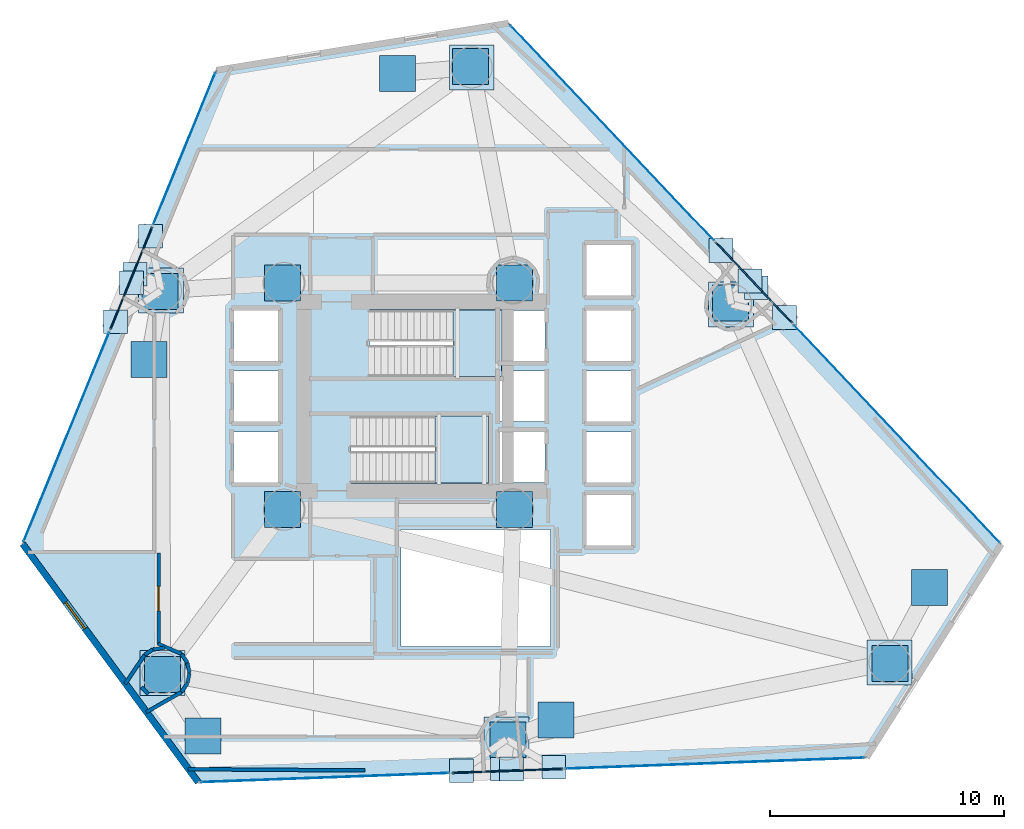
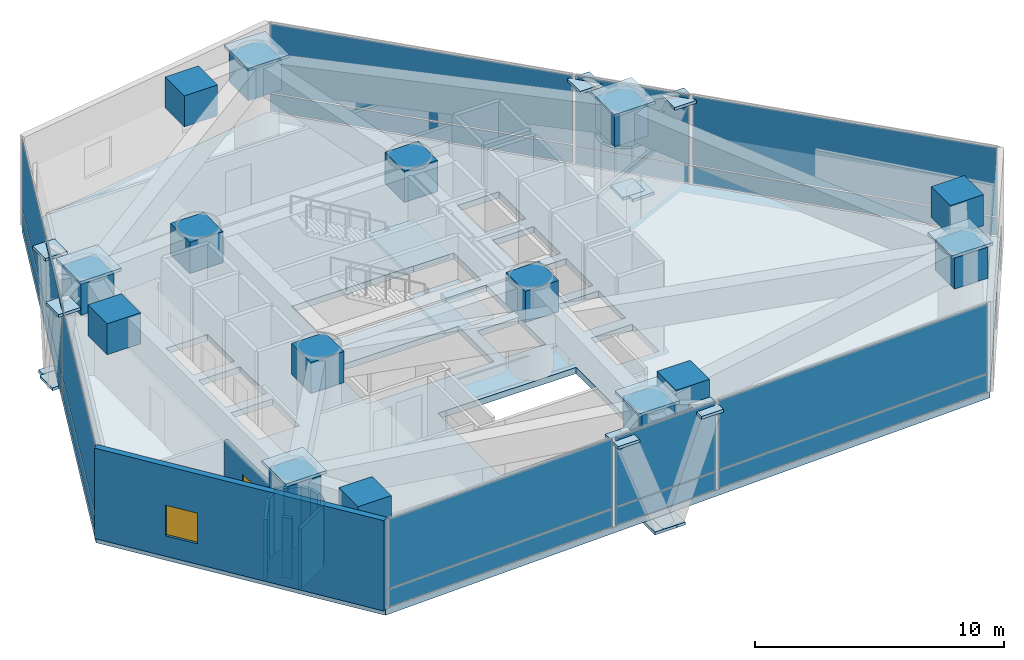
# One storey, part 16 of 22: 51 plates, 13 walls, 3 slabs, 1 door, 1 window, 2 openings, 11 elements without a shape of their own.
"""IFC4 building model written with IfcOpenShell, lengths in metres."""

from ifc_helpers import new_model, si_unit, direction, frame, frame_2d, origin, origin_2d, place, context, subcontext, project, spatial, polyline, rectangle, outline, extrude, material, layer, layer_set, type_object, element, fill, aggregate, save


model = new_model("IFC4")

# Units and contexts
model_context = context("Model", 3, precision=1e-05, world=origin(), true_north=direction((0.0, 1.0)))
body_context = subcontext(model_context, "Body", "Model", "MODEL_VIEW")
ifc_project = project(units=[si_unit("LENGTHUNIT", "METRE"), si_unit("AREAUNIT", "SQUARE_METRE"), si_unit("VOLUMEUNIT", "CUBIC_METRE"), si_unit("PLANEANGLEUNIT", "RADIAN"), si_unit("MASSUNIT", "GRAM", prefix="KILO")], contexts=[model_context])

# Site, building, storey
site_placement = place(None, origin())
site = spatial("IfcSite", under=ifc_project, at=site_placement, CompositionType="ELEMENT")
building_placement = place(site_placement, origin())
building = spatial("IfcBuilding", under=site, at=building_placement, Name="Qianvela Tower", CompositionType="ELEMENT")
storey_placement = place(building_placement, frame((0.0, 0.0, 47.89990234375)))
storey = spatial("IfcBuildingStorey", under=building, at=storey_placement, Name="L11", CompositionType="ELEMENT", Elevation=47.89990234375)

# Curtain wall, plates
ifc_material_1 = material(Name="Anodised Architectural Aluminium and Insulated Spandrel Panel", Category="aluminium")
ifc_layer_1 = layer(ifc_material_1, 0.179931640625)
ifc_layer_set_1 = layer_set([ifc_layer_1], Name="Anodised Architectural Aluminium and Insulated Spandrel Panel")
curtain_wall_type_1 = type_object("IfcCurtainWallType", Name="CW-BRACEBAY", PredefinedType="USERDEFINED", material=ifc_layer_set_1)
curtain_wall_1_placement = place(storey_placement, origin())
curtain_wall_1 = element("IfcCurtainWall", 1, at=curtain_wall_1_placement, inside=storey, type_object=curtain_wall_type_1, Name="L11 CW-BRACEBAY Curtain Wall 02B", ObjectType="CURTAIN_WALL_SYSTEM", PredefinedType="USERDEFINED")
ifc_material_2 = material(Name="Insulated Aluminium Spandrel Panel with Mineral-Wool Backpan", Category="aluminium")
ifc_layer_2 = layer(ifc_material_2, 0.06005859375)
ifc_layer_set_2 = layer_set([ifc_layer_2], Name="Insulated Aluminium Spandrel Panel with Mineral-Wool Backpan")
plate_type_1 = type_object("IfcPlateType", Name="CW-BRACEBAY-PNL", PredefinedType="CURTAIN_PANEL", material=ifc_layer_set_2)
plate_1_placement = place(storey_placement, frame((48.714111328125, 33.561279296875, 0.065185546875), z_axis=(0.0, 0.0, 1.0), x_axis=(-0.687161777632, 0.726504433133, 0.0)))
plate_1 = element("IfcPlate", 2, at=plate_1_placement, type_object=plate_type_1, Name="CW-9 panel 1.1", PredefinedType="CURTAIN_PANEL", context=body_context, shape_type="SweptSolid", body=[
    extrude(rectangle(XDim=4.739990234375, YDim=0.06005859375, at=origin_2d()), origin(), (0.0, 0.0, 1.0), 0.8525390625),
])
plate_2_placement = place(storey_placement, frame((48.714111328125, 33.561279296875, 0.982666015625), z_axis=(0.0, 0.0, 1.0), x_axis=(-0.687161777632, 0.726504433133, 0.0)))
plate_2 = element("IfcPlate", 3, at=plate_2_placement, type_object=plate_type_1, Name="CW-9 panel 1.2", PredefinedType="CURTAIN_PANEL", context=body_context, shape_type="SweptSolid", body=[
    extrude(rectangle(XDim=4.739990234375, YDim=0.06005859375, at=origin_2d()), origin(), (0.0, 0.0, 1.0), 3.37255859375),
])
aggregate(curtain_wall_1, [plate_1, plate_2])

curtain_wall_2_placement = place(storey_placement, origin())
curtain_wall_2 = element("IfcCurtainWall", 4, at=curtain_wall_2_placement, inside=storey, type_object=curtain_wall_type_1, Name="L11 CW-BRACEBAY Curtain Wall 04B", ObjectType="CURTAIN_WALL_SYSTEM", PredefinedType="USERDEFINED")
plate_3_placement = place(storey_placement, frame((22.0615234375, 33.748779296875, 0.065185546875), z_axis=(0.0, 0.0, 1.0), x_axis=(-0.378482214206, -0.925608563881, 0.0)))
plate_3 = element("IfcPlate", 5, at=plate_3_placement, type_object=plate_type_1, Name="CW-9 panel 1.1", PredefinedType="CURTAIN_PANEL", context=body_context, shape_type="SweptSolid", body=[
    extrude(rectangle(XDim=4.72998046875, YDim=0.06005859375, at=origin_2d()), origin(), (0.0, 0.0, 1.0), 0.8525390625),
])
plate_4_placement = place(storey_placement, frame((22.0615234375, 33.748779296875, 0.982666015625), z_axis=(0.0, 0.0, 1.0), x_axis=(-0.378482214206, -0.925608563881, 0.0)))
plate_4 = element("IfcPlate", 6, at=plate_4_placement, type_object=plate_type_1, Name="CW-9 panel 1.2", PredefinedType="CURTAIN_PANEL", context=body_context, shape_type="SweptSolid", body=[
    extrude(rectangle(XDim=4.72998046875, YDim=0.06005859375, at=origin_2d()), origin(), (0.0, 0.0, 1.0), 3.37255859375),
])
aggregate(curtain_wall_2, [plate_3, plate_4])

curtain_wall_3_placement = place(storey_placement, origin())
curtain_wall_3 = element("IfcCurtainWall", 7, at=curtain_wall_3_placement, inside=storey, type_object=curtain_wall_type_1, Name="L11 CW-BRACEBAY Curtain Wall 06B", ObjectType="CURTAIN_WALL_SYSTEM", PredefinedType="USERDEFINED")
plate_5_placement = place(storey_placement, frame((38.16845703125, 12.672607421875, 0.065185546875), z_axis=(0.0, 0.0, 1.0), x_axis=(0.999319982183, 0.036872390877, 0.0)))
plate_5 = element("IfcPlate", 8, at=plate_5_placement, type_object=plate_type_1, Name="CW-9 panel 1.1", PredefinedType="CURTAIN_PANEL", context=body_context, shape_type="SweptSolid", body=[
    extrude(rectangle(XDim=4.72998046875, YDim=0.06005859375, at=origin_2d()), origin(), (0.0, 0.0, 1.0), 0.8525390625),
])
plate_6_placement = place(storey_placement, frame((38.16845703125, 12.672607421875, 0.982666015625), z_axis=(0.0, 0.0, 1.0), x_axis=(0.999319982183, 0.036872390877, 0.0)))
plate_6 = element("IfcPlate", 9, at=plate_6_placement, type_object=plate_type_1, Name="CW-9 panel 1.2", PredefinedType="CURTAIN_PANEL", context=body_context, shape_type="SweptSolid", body=[
    extrude(rectangle(XDim=4.72998046875, YDim=0.06005859375, at=origin_2d()), origin(), (0.0, 0.0, 1.0), 3.37255859375),
])
aggregate(curtain_wall_3, [plate_5, plate_6])

ifc_material_3 = material(Name="Anodised Architectural Aluminium and Low-E Glass", Category="aluminium")
ifc_layer_3 = layer(ifc_material_3, 0.179931640625)
ifc_layer_set_3 = layer_set([ifc_layer_3], Name="Anodised Architectural Aluminium and Low-E Glass")
curtain_wall_type_2 = type_object("IfcCurtainWallType", Name="CW-COLIV-Z12", PredefinedType="USERDEFINED", material=ifc_layer_set_3)
curtain_wall_4_placement = place(storey_placement, origin())
curtain_wall_4 = element("IfcCurtainWall", 10, at=curtain_wall_4_placement, inside=storey, type_object=curtain_wall_type_2, Name="L11 CW-COLIV-Z12 Curtain Wall 02A", ObjectType="CURTAIN_WALL_SYSTEM", PredefinedType="USERDEFINED")
ifc_material_4 = material(Name="Double-Silver Low-E Insulated Glass", Category="glass")
ifc_layer_4 = layer(ifc_material_4, 0.030029296875)
ifc_layer_set_4 = layer_set([ifc_layer_4], Name="Double-Silver Low-E Insulated Glass")
plate_type_2 = type_object("IfcPlateType", Name="CW-COLIV-Z12-PNL", PredefinedType="CURTAIN_PANEL", material=ifc_layer_set_4)
plate_7_placement = place(storey_placement, frame((54.822998046875, 27.102783203125, 0.065185546875), z_axis=(0.0, 0.0, 1.0), x_axis=(-0.687174220743, 0.726492663656, 0.0)))
plate_7 = element("IfcPlate", 11, at=plate_7_placement, type_object=plate_type_2, Name="CW-3 panel 1.1", PredefinedType="CURTAIN_PANEL", context=body_context, shape_type="SweptSolid", body=[
    extrude(rectangle(XDim=12.77001953125, YDim=0.030029296875, at=origin_2d()), origin(), (0.0, 0.0, 1.0), 0.8525390625),
])
plate_8_placement = place(storey_placement, frame((54.822998046875, 27.102783203125, 0.982666015625), z_axis=(0.0, 0.0, 1.0), x_axis=(-0.687174220743, 0.726492663656, 0.0)))
plate_8 = element("IfcPlate", 12, at=plate_8_placement, type_object=plate_type_2, Name="CW-3 panel 1.2", PredefinedType="CURTAIN_PANEL", context=body_context, shape_type="SweptSolid", body=[
    extrude(rectangle(XDim=12.77001953125, YDim=0.030029296875, at=origin_2d()), origin(), (0.0, 0.0, 1.0), 3.37255859375),
])
aggregate(curtain_wall_4, [plate_7, plate_8])

curtain_wall_5_placement = place(storey_placement, origin())
curtain_wall_5 = element("IfcCurtainWall", 13, at=curtain_wall_5_placement, inside=storey, type_object=curtain_wall_type_2, Name="L11 CW-COLIV-Z12 Curtain Wall 02C", ObjectType="CURTAIN_WALL_SYSTEM", PredefinedType="USERDEFINED")
plate_9_placement = place(storey_placement, frame((42.642578125, 39.98046875, 0.065185546875), z_axis=(0.0, 0.0, 1.0), x_axis=(-0.687175228739, 0.726491710212, 0.0)))
plate_9 = element("IfcPlate", 14, at=plate_9_placement, type_object=plate_type_2, Name="CW-3 panel 1.1", PredefinedType="CURTAIN_PANEL", context=body_context, shape_type="SweptSolid", body=[
    extrude(rectangle(XDim=12.6611328125, YDim=0.030029296875, at=origin_2d()), origin(), (0.0, 0.0, 1.0), 0.8525390625),
])
plate_10_placement = place(storey_placement, frame((42.642578125, 39.98046875, 0.982666015625), z_axis=(0.0, 0.0, 1.0), x_axis=(-0.687175228739, 0.726491710212, 0.0)))
plate_10 = element("IfcPlate", 15, at=plate_10_placement, type_object=plate_type_2, Name="CW-3 panel 1.2", PredefinedType="CURTAIN_PANEL", context=body_context, shape_type="SweptSolid", body=[
    extrude(rectangle(XDim=12.6611328125, YDim=0.030029296875, at=origin_2d()), origin(), (0.0, 0.0, 1.0), 3.37255859375),
])
aggregate(curtain_wall_5, [plate_9, plate_10])

curtain_wall_6_placement = place(storey_placement, origin())
curtain_wall_6 = element("IfcCurtainWall", 16, at=curtain_wall_6_placement, inside=storey, type_object=curtain_wall_type_2, Name="L11 CW-COLIV-Z12 Curtain Wall 04A", ObjectType="CURTAIN_WALL_SYSTEM", PredefinedType="USERDEFINED")
plate_11_placement = place(storey_placement, frame((24.33251953125, 39.30224609375, 0.065185546875), z_axis=(0.0, 0.0, 1.0), x_axis=(-0.378500867146, -0.925600936457, 0.0)))
plate_11 = element("IfcPlate", 17, at=plate_11_placement, type_object=plate_type_2, Name="CW-3 panel 1.1", PredefinedType="CURTAIN_PANEL", context=body_context, shape_type="SweptSolid", body=[
    extrude(rectangle(XDim=7.0, YDim=0.030029296875, at=origin_2d()), origin(), (0.0, 0.0, 1.0), 0.8525390625),
])
plate_12_placement = place(storey_placement, frame((24.33251953125, 39.30224609375, 0.982666015625), z_axis=(0.0, 0.0, 1.0), x_axis=(-0.378500867146, -0.925600936457, 0.0)))
plate_12 = element("IfcPlate", 18, at=plate_12_placement, type_object=plate_type_2, Name="CW-3 panel 1.2", PredefinedType="CURTAIN_PANEL", context=body_context, shape_type="SweptSolid", body=[
    extrude(rectangle(XDim=7.0, YDim=0.030029296875, at=origin_2d()), origin(), (0.0, 0.0, 1.0), 3.37255859375),
])
aggregate(curtain_wall_6, [plate_11, plate_12])

curtain_wall_7_placement = place(storey_placement, origin())
curtain_wall_7 = element("IfcCurtainWall", 19, at=curtain_wall_7_placement, inside=storey, type_object=curtain_wall_type_2, Name="L11 CW-COLIV-Z12 Curtain Wall 04C", ObjectType="CURTAIN_WALL_SYSTEM", PredefinedType="USERDEFINED")
plate_13_placement = place(storey_placement, frame((19.28759765625, 26.96484375, 0.065185546875), z_axis=(0.0, 0.0, 1.0), x_axis=(-0.378494146552, -0.925603684644, 0.0)))
plate_13 = element("IfcPlate", 20, at=plate_13_placement, type_object=plate_type_2, Name="CW-3 panel 1.1", PredefinedType="CURTAIN_PANEL", context=body_context, shape_type="SweptSolid", body=[
    extrude(rectangle(XDim=9.657958984375, YDim=0.030029296875, at=origin_2d()), origin(), (0.0, 0.0, 1.0), 0.8525390625),
])
plate_14_placement = place(storey_placement, frame((19.28759765625, 26.96484375, 0.982666015625), z_axis=(0.0, 0.0, 1.0), x_axis=(-0.378494146552, -0.925603684644, 0.0)))
plate_14 = element("IfcPlate", 21, at=plate_14_placement, type_object=plate_type_2, Name="CW-3 panel 1.2", PredefinedType="CURTAIN_PANEL", context=body_context, shape_type="SweptSolid", body=[
    extrude(rectangle(XDim=9.657958984375, YDim=0.030029296875, at=origin_2d()), origin(), (0.0, 0.0, 1.0), 3.37255859375),
])
aggregate(curtain_wall_7, [plate_13, plate_14])

curtain_wall_8_placement = place(storey_placement, origin())
curtain_wall_8 = element("IfcCurtainWall", 22, at=curtain_wall_8_placement, inside=storey, type_object=curtain_wall_type_2, Name="L11 CW-COLIV-Z12 Curtain Wall 06A", ObjectType="CURTAIN_WALL_SYSTEM", PredefinedType="USERDEFINED")
plate_15_placement = place(storey_placement, frame((30.358642578125, 12.384521484375, 0.065185546875), z_axis=(0.0, 0.0, 1.0), x_axis=(0.999320026105, 0.036871200483, 0.0)))
plate_15 = element("IfcPlate", 23, at=plate_15_placement, type_object=plate_type_2, Name="CW-3 panel 1.1", PredefinedType="CURTAIN_PANEL", context=body_context, shape_type="SweptSolid", body=[
    extrude(rectangle(XDim=10.6298828125, YDim=0.030029296875, at=origin_2d()), origin(), (0.0, 0.0, 1.0), 0.8525390625),
])
plate_16_placement = place(storey_placement, frame((30.358642578125, 12.384521484375, 0.982666015625), z_axis=(0.0, 0.0, 1.0), x_axis=(0.999320026105, 0.036871200483, 0.0)))
plate_16 = element("IfcPlate", 24, at=plate_16_placement, type_object=plate_type_2, Name="CW-3 panel 1.2", PredefinedType="CURTAIN_PANEL", context=body_context, shape_type="SweptSolid", body=[
    extrude(rectangle(XDim=10.6298828125, YDim=0.030029296875, at=origin_2d()), origin(), (0.0, 0.0, 1.0), 3.37255859375),
])
aggregate(curtain_wall_8, [plate_15, plate_16])

curtain_wall_9_placement = place(storey_placement, origin())
curtain_wall_9 = element("IfcCurtainWall", 25, at=curtain_wall_9_placement, inside=storey, type_object=curtain_wall_type_2, Name="L11 CW-COLIV-Z12 Curtain Wall 06C", ObjectType="CURTAIN_WALL_SYSTEM", PredefinedType="USERDEFINED")
plate_17_placement = place(storey_placement, frame((47.03564453125, 12.999755859375, 0.065185546875), z_axis=(0.0, 0.0, 1.0), x_axis=(0.999319884308, 0.036875043404, 0.0)))
plate_17 = element("IfcPlate", 26, at=plate_17_placement, type_object=plate_type_2, Name="CW-3 panel 1.1", PredefinedType="CURTAIN_PANEL", context=body_context, shape_type="SweptSolid", body=[
    extrude(rectangle(XDim=12.746826171875, YDim=0.030029296875, at=origin_2d()), origin(), (0.0, 0.0, 1.0), 0.8525390625),
])
plate_18_placement = place(storey_placement, frame((47.03564453125, 12.999755859375, 0.982666015625), z_axis=(0.0, 0.0, 1.0), x_axis=(0.999319884308, 0.036875043404, 0.0)))
plate_18 = element("IfcPlate", 27, at=plate_18_placement, type_object=plate_type_2, Name="CW-3 panel 1.2", PredefinedType="CURTAIN_PANEL", context=body_context, shape_type="SweptSolid", body=[
    extrude(rectangle(XDim=12.746826171875, YDim=0.030029296875, at=origin_2d()), origin(), (0.0, 0.0, 1.0), 3.37255859375),
])
aggregate(curtain_wall_9, [plate_17, plate_18])

# Plates
ifc_material_5 = material(Name="Steel Q420GJC", Category="steel")
ifc_layer_5 = layer(ifc_material_5, 0.139892578125)
ifc_layer_set_5 = layer_set([ifc_layer_5], Name="Steel Q420GJC")
plate_type_3 = type_object("IfcPlateType", Name="PT-GUSSET-NODE-140", PredefinedType="USERDEFINED", material=ifc_layer_set_5)
for number, where, z_axis, x_axis, name in (
    (28, (54.511962890625, 17.31689453125, 4.59521484375), (0.0, 0.0, 1.0), (1.0, 0.0, 0.0), "L11 Node Gusset Plate TOP"),
    (29, (47.736083984375, 32.636962890625, 4.59521484375), (0.0, 0.0, 1.0), (1.0, 0.0, 0.0), "L11 Node Gusset Plate TOP"),
    (30, (36.632080078125, 42.778076171875, 4.59521484375), (0.0, 0.0, 1.0), (1.0, 0.0, 0.0), "L11 Node Gusset Plate TOP"),
    (31, (23.337890625, 33.22802734375, 4.59521484375), (0.0, 0.0, 1.0), (1.0, 0.0, 0.0), "L11 Node Gusset Plate TOP"),
    (32, (23.404052734375, 16.860107421875, 4.59521484375), (0.0, 0.0, 1.0), (1.0, 0.0, 0.0), "L11 Node Gusset Plate TOP"),
    (33, (38.1201171875, 14.01611328125, 4.59521484375), (0.0, 0.0, 1.0), (1.0, 0.0, 0.0), "L11 Node Gusset Plate TOP"),
):
    element("IfcPlate", number, at=place(storey_placement, frame(where, z_axis=z_axis, x_axis=x_axis)), inside=storey, type_object=plate_type_3, Name=name, ObjectType="GUSSET_PLATE", PredefinedType="USERDEFINED", context=body_context, shape_type="SweptSolid", body=[
        extrude(rectangle(XDim=1.919921875, YDim=1.919921875, at=origin_2d()), origin(), (0.0, 0.0, 1.0), 0.139892578125),
    ])
for number, where, z_axis, x_axis, name in (
    (34, (48.80615234375, 33.34765625, -0.78271484375), (0.0, 0.0, 1.0), (1.0, 0.0, 0.0), "L11 Node Gusset Plate A"),
    (35, (50.014404296875, 32.0703125, 4.05908203125), (0.0, 0.0, 1.0), (1.0, 0.0, 0.0), "L11 Node Gusset Plate B"),
    (36, (48.53466796875, 33.634521484375, -0.78271484375), (0.0, 0.0, 1.0), (1.0, 0.0, 0.0), "L11 Node Gusset Plate A"),
    (37, (47.29638671875, 34.943603515625, 4.05908203125), (0.0, 0.0, 1.0), (1.0, 0.0, 0.0), "L11 Node Gusset Plate B"),
    (38, (22.219482421875, 33.923095703125, -0.78271484375), (0.0, 0.0, 1.0), (1.0, 0.0, 0.0), "L11 Node Gusset Plate A"),
    (39, (22.884521484375, 35.549560546875, 4.05908203125), (0.0, 0.0, 1.0), (1.0, 0.0, 0.0), "L11 Node Gusset Plate B"),
    (40, (22.06982421875, 33.5576171875, -0.78271484375), (0.0, 0.0, 1.0), (1.0, 0.0, 0.0), "L11 Node Gusset Plate A"),
    (41, (21.387451171875, 31.888916015625, 4.05908203125), (0.0, 0.0, 1.0), (1.0, 0.0, 0.0), "L11 Node Gusset Plate B"),
    (42, (37.947021484375, 12.744384765625, -0.78271484375), (0.0, 0.0, 1.0), (1.0, 0.0, 0.0), "L11 Node Gusset Plate A"),
    (43, (36.190673828125, 12.6796875, 4.05908203125), (0.0, 0.0, 1.0), (1.0, 0.0, 0.0), "L11 Node Gusset Plate B"),
    (44, (38.341796875, 12.759033203125, -0.78271484375), (0.0, 0.0, 1.0), (1.0, 0.0, 0.0), "L11 Node Gusset Plate A"),
    (45, (40.14306640625, 12.825439453125, 4.05908203125), (0.0, 0.0, 1.0), (1.0, 0.0, 0.0), "L11 Node Gusset Plate B"),
):
    element("IfcPlate", number, at=place(storey_placement, frame(where, z_axis=z_axis, x_axis=x_axis)), inside=storey, type_object=plate_type_3, Name=name, ObjectType="GUSSET_PLATE", PredefinedType="USERDEFINED", context=body_context, shape_type="SweptSolid", body=[
        extrude(rectangle(XDim=1.02001953125, YDim=1.02001953125, at=origin_2d()), origin(), (0.0, 0.0, 1.0), 0.139892578125),
    ])
for number, where, z_axis, x_axis, name in (
    (46, (28.534912109375, 23.85009765625, 2.9580078125), (0.0, 0.0, 1.0), (1.0, 0.0, 0.0), "L11 Node Gusset Plate A"),
    (47, (38.465087890625, 23.85009765625, 2.9580078125), (0.0, 0.0, 1.0), (1.0, 0.0, 0.0), "L11 Node Gusset Plate B"),
    (48, (28.534912109375, 33.550048828125, 2.9580078125), (0.0, 0.0, 1.0), (1.0, 0.0, 0.0), "L11 Node Gusset Plate A"),
    (49, (38.465087890625, 33.550048828125, 2.9580078125), (0.0, 0.0, 1.0), (1.0, 0.0, 0.0), "L11 Node Gusset Plate B"),
    (50, (54.538330078125, 17.257568359375, 2.9580078125), (0.0, 0.0, 1.0), (1.0, 0.0, 0.0), "L11 Node Gusset Plate A"),
    (51, (47.709716796875, 32.6962890625, 2.9580078125), (0.0, 0.0, 1.0), (1.0, 0.0, 0.0), "L11 Node Gusset Plate B"),
    (52, (36.583984375, 42.82177734375, 2.9580078125), (0.0, 0.0, 1.0), (1.0, 0.0, 0.0), "L11 Node Gusset Plate B"),
    (53, (23.28515625, 33.190185546875, 2.9580078125), (0.0, 0.0, 1.0), (1.0, 0.0, 0.0), "L11 Node Gusset Plate B"),
    (54, (23.404296875, 16.794921875, 2.9580078125), (0.0, 0.0, 1.0), (1.0, 0.0, 0.0), "L11 Node Gusset Plate B"),
    (55, (38.183837890625, 14.003662109375, 2.9580078125), (0.0, 0.0, 1.0), (1.0, 0.0, 0.0), "L11 Node Gusset Plate B"),
    (56, (56.229736328125, 20.525390625, 2.9580078125), (0.0, 0.0, 1.0), (1.0, 0.0, 0.0), "L11 Node Gusset Plate B"),
    (57, (33.461181640625, 42.523681640625, 2.9580078125), (0.0, 0.0, 1.0), (1.0, 0.0, 0.0), "L11 Node Gusset Plate B"),
    (58, (22.817626953125, 30.27587890625, 2.9580078125), (0.0, 0.0, 1.0), (1.0, 0.0, 0.0), "L11 Node Gusset Plate B"),
    (59, (25.13525390625, 14.17041015625, 2.9580078125), (0.0, 0.0, 1.0), (1.0, 0.0, 0.0), "L11 Node Gusset Plate B"),
    (60, (40.24951171875, 14.842529296875, 2.9580078125), (0.0, 0.0, 1.0), (1.0, 0.0, 0.0), "L11 Node Gusset Plate B"),
):
    element("IfcPlate", number, at=place(storey_placement, frame(where, z_axis=z_axis, x_axis=x_axis)), inside=storey, type_object=plate_type_3, Name=name, ObjectType="GUSSET_PLATE", PredefinedType="USERDEFINED", context=body_context, shape_type="SweptSolid", body=[
        extrude(rectangle(XDim=1.5400390625, YDim=1.5400390625, at=origin_2d()), origin(), (0.0, 0.0, 1.0), 1.52001953125),
    ])

# Stair, slab
ifc_material_6 = material(Name="Concrete C40", Category="concrete")
stair_type = type_object("IfcStairType", Name="ST-DOGLEG-1350-R164-N28", PredefinedType="HALF_TURN_STAIR", material=ifc_material_6)
stair_1_placement = place(storey_placement, origin())
stair_1 = element("IfcStair", 61, at=stair_1_placement, inside=storey, type_object=stair_type, Name="L11 Smoke-Proof Core Stair ST-1", PredefinedType="HALF_TURN_STAIR")
ifc_material_7 = material(Name="Concrete C40", Category="concrete")
ifc_layer_6 = layer(ifc_material_7, 0.199951171875)
ifc_layer_set_6 = layer_set([ifc_layer_6], Name="Concrete C40")
slab_type_1 = type_object("IfcSlabType", Name="SL-STAIR-LANDING-200", PredefinedType="LANDING", material=ifc_layer_set_6)
slab_1_placement = place(storey_placement, frame((0.0, 0.0, 2.10009765625)))
slab_1 = element("IfcSlab", 62, at=slab_1_placement, type_object=slab_type_1, Name="ST-1 landing 1", PredefinedType="LANDING", context=body_context, shape_type="SweptSolid", body=[
    extrude(outline(polyline([(35.840087890625, 29.5400390625), (37.89990234375, 29.5400390625), (37.89990234375, 32.39990234375), (35.840087890625, 32.39990234375), (35.840087890625, 29.5400390625)])), origin(), (0.0, 0.0, 1.0), 0.199951171875),
])
aggregate(stair_1, [slab_1])

stair_2_placement = place(storey_placement, origin())
stair_2 = element("IfcStair", 63, at=stair_2_placement, inside=storey, type_object=stair_type, Name="L11 Smoke-Proof Core Stair ST-2", PredefinedType="HALF_TURN_STAIR")
slab_2_placement = place(storey_placement, frame((0.0, 0.0, 2.10009765625)))
slab_2 = element("IfcSlab", 64, at=slab_2_placement, type_object=slab_type_1, Name="ST-2 landing 1", PredefinedType="LANDING", context=body_context, shape_type="SweptSolid", body=[
    extrude(outline(polyline([(35.06005859375, 25.0), (37.35009765625, 25.0), (37.35009765625, 27.860107421875), (35.06005859375, 27.860107421875), (35.06005859375, 25.0)])), origin(), (0.0, 0.0, 1.0), 0.199951171875),
])
aggregate(stair_2, [slab_2])

# Slab
ifc_material_8 = material(Name="Concrete C40", Category="concrete")
ifc_layer_7 = layer(ifc_material_8, 0.300048828125)
ifc_layer_set_7 = layer_set([ifc_layer_7], Name="Concrete C40")
slab_type_2 = type_object("IfcSlabType", Name="SL-TRANS-300", PredefinedType="FLOOR", material=ifc_layer_set_7)
slab_3_placement = place(storey_placement, frame((0.0, 0.0, -0.2998046875)))
element("IfcSlab", 65, at=slab_3_placement, inside=storey, type_object=slab_type_2, Name="L11 Composite Structural Floor Slab", PredefinedType="FLOOR", context=body_context, shape_type="SweptSolid", body=[
    extrude(outline(polyline([(53.524658203125, 13.2392578125), (59.293212890625, 22.376953125), (38.209716796875, 44.666748046875), (25.70263671875, 42.653076171875), (17.41455078125, 22.384033203125), (24.927490234375, 12.18408203125), (53.524658203125, 13.2392578125)]), holes=[polyline([(40.0, 23.0), (33.60009765625, 23.0), (33.60009765625, 18.0), (40.0, 18.0), (40.0, 23.0)]), polyline([(28.360107421875, 25.02001953125), (28.360107421875, 27.179931640625), (26.43994140625, 27.179931640625), (26.43994140625, 25.02001953125), (28.360107421875, 25.02001953125)]), polyline([(37.35009765625, 25.0), (37.35009765625, 27.860107421875), (31.469970703125, 27.860107421875), (31.469970703125, 25.0), (37.35009765625, 25.0)]), polyline([(28.360107421875, 27.6201171875), (28.360107421875, 29.780029296875), (26.43994140625, 29.780029296875), (26.43994140625, 27.6201171875), (28.360107421875, 27.6201171875)]), polyline([(37.89990234375, 32.3798828125), (37.89990234375, 32.39990234375), (32.25, 32.39990234375), (32.25, 29.5400390625), (37.840087890625, 29.5400390625), (37.840087890625, 27.6201171875), (39.760009765625, 27.6201171875), (39.760009765625, 29.780029296875), (37.89990234375, 29.780029296875), (37.89990234375, 30.219970703125), (39.760009765625, 30.219970703125), (39.760009765625, 32.3798828125), (37.89990234375, 32.3798828125)]), polyline([(28.360107421875, 30.219970703125), (28.360107421875, 32.3798828125), (26.43994140625, 32.3798828125), (26.43994140625, 30.219970703125), (28.360107421875, 30.219970703125)]), polyline([(43.4599609375, 24.47998046875), (41.5400390625, 24.47998046875), (41.5400390625, 22.320068359375), (43.4599609375, 22.320068359375), (43.4599609375, 24.47998046875)]), polyline([(39.760009765625, 25.02001953125), (39.760009765625, 27.179931640625), (37.840087890625, 27.179931640625), (37.840087890625, 25.02001953125), (39.760009765625, 25.02001953125)]), polyline([(43.4599609375, 25.02001953125), (43.4599609375, 27.179931640625), (41.5400390625, 27.179931640625), (41.5400390625, 25.02001953125), (43.4599609375, 25.02001953125)]), polyline([(43.4599609375, 27.6201171875), (43.4599609375, 29.780029296875), (41.5400390625, 29.780029296875), (41.5400390625, 27.6201171875), (43.4599609375, 27.6201171875)]), polyline([(43.4599609375, 30.219970703125), (43.4599609375, 32.3798828125), (41.5400390625, 32.3798828125), (41.5400390625, 30.219970703125), (43.4599609375, 30.219970703125)]), polyline([(43.4599609375, 33.02001953125), (43.4599609375, 35.179931640625), (41.5400390625, 35.179931640625), (41.5400390625, 33.02001953125), (43.4599609375, 33.02001953125)])]), origin(), (0.0, 0.0, 1.0), 0.2998046875),
])

# Wall, opening, window
ifc_material_9 = material(Name="Terracotta Cladding on Concrete C40", Category="masonry")
ifc_layer_8 = layer(ifc_material_9, 0.280029296875)
ifc_layer_set_8 = layer_set([ifc_layer_8], Name="Terracotta Cladding on Concrete C40")
wall_type_1 = type_object("IfcWallType", Name="TERRACOTTA-WALL-280", PredefinedType="SOLIDWALL", material=ifc_layer_set_8)
wall_1_placement = place(storey_placement, frame((17.41455078125, 22.384033203125, 0.0), z_axis=(0.0, 0.0, 1.0), x_axis=(0.593055059992, -0.805161906587, 0.0)))
wall_1 = element("IfcWall", 66, at=wall_1_placement, inside=storey, type_object=wall_type_1, Name="L11 Terracotta Chamfer Facet Wall 5", PredefinedType="SOLIDWALL", context=body_context, shape_type="SweptSolid", body=[
    extrude(rectangle(XDim=12.668212890625, YDim=0.280029296875, at=frame_2d((6.333984375, 0.0))), origin(), (0.0, 0.0, 1.0), 4.420166015625),
])
opening_1_placement = place(wall_1_placement, frame((3.1005859375, 0.0, 1.0)))
opening_1 = element("IfcOpeningElement", 67, at=opening_1_placement, cuts=wall_1, Name="Opening W-06", PredefinedType="OPENING", context=body_context, shape_type="SweptSolid", body=[
    extrude(rectangle(XDim=1.39990234375, YDim=1.5, at=frame_2d((0.699951171875, 0.75))), frame((0.0, 0.14990234375, 0.0), z_axis=(0.0, -1.0, 0.0), x_axis=(1.0, 0.0, 0.0)), (0.0, 0.0, 1.0), 0.300048828125),
])
ifc_material_10 = material(Name="Thermally Broken Aluminium and Low-E Glass", Category="aluminium")
window_type = type_object("IfcWindowType", Name="WIN-REF-1400x1500", PartitioningType="SINGLE_PANEL", PredefinedType="WINDOW", material=ifc_material_10)
window_placement = place(opening_1_placement, origin())
window = element("IfcWindow", 68, at=window_placement, inside=storey, type_object=window_type, Name="L11 Chamfer Facet Window 5.1", OverallHeight=1.5, OverallWidth=1.39990234375, PartitioningType="SINGLE_PANEL", PredefinedType="WINDOW", context=body_context, shape_type="SweptSolid", body=[
    extrude(rectangle(XDim=1.39990234375, YDim=1.5, at=frame_2d((0.699951171875, 0.75))), frame((0.0, 0.030029296875, 0.0), z_axis=(0.0, -1.0, 0.0), x_axis=(1.0, 0.0, 0.0)), (0.0, 0.0, 1.0), 0.06005859375),
])
fill(opening_1, window)

# Walls
ifc_material_11 = material(Name="Fire-Rated Acoustic Gypsum Board")
ifc_layer_9 = layer(ifc_material_11, 0.14990234375)
ifc_layer_set_9 = layer_set([ifc_layer_9], Name="Fire-Rated Acoustic Gypsum Board")
wall_type_2 = type_object("IfcWallType", Name="WT-CORR-150", PredefinedType="PARTITIONING", material=ifc_layer_set_9)
wall_2_placement = place(storey_placement, frame((22.6982421875, 15.177001953125, 0.0), z_axis=(0.0, 0.0, 1.0), x_axis=(0.868372461428, 0.495912561077, 0.0)))
element("IfcWall", 69, at=wall_2_placement, inside=storey, type_object=wall_type_2, Name="L11 Partition 64", PredefinedType="PARTITIONING", context=body_context, shape_type="SweptSolid", body=[
    extrude(rectangle(XDim=1.7421875, YDim=0.14990234375, at=frame_2d((0.87109375, 0.0))), origin(), (0.0, 0.0, 1.0), 2.940185546875),
])
for number, where, z_axis, x_axis, name in (
    (70, (24.2216796875, 16.05078125, 0.0), (0.0, 0.0, 1.0), (0.555601891118, 0.831448458166, 0.0), "L11 Partition 65"),
    (71, (24.468994140625, 16.42529296875, 0.0), (0.0, 0.0, 1.0), (0.195471680655, 0.980709346372, 0.0), "L11 Partition 66"),
    (72, (24.554443359375, 16.865966796875, 0.0), (0.0, 0.0, 1.0), (-0.195471680655, 0.980709346372, 0.0), "L11 Partition 67"),
):
    element("IfcWall", number, at=place(storey_placement, frame(where, z_axis=z_axis, x_axis=x_axis)), inside=storey, type_object=wall_type_2, Name=name, PredefinedType="PARTITIONING", context=body_context, shape_type="SweptSolid", body=[
        extrude(rectangle(XDim=0.437255859375, YDim=0.14990234375, at=frame_2d((0.21875, 0.0))), origin(), (0.0, 0.0, 1.0), 2.940185546875),
    ])
wall_3_placement = place(storey_placement, frame((24.464599609375, 17.305908203125, 0.0), z_axis=(0.0, 0.0, 1.0), x_axis=(-0.555859936624, 0.831275965523, 0.0)))
element("IfcWall", 73, at=wall_3_placement, inside=storey, type_object=wall_type_2, Name="L11 Partition 68", PredefinedType="PARTITIONING", context=body_context, shape_type="SweptSolid", body=[
    extrude(rectangle(XDim=0.43701171875, YDim=0.14990234375, at=frame_2d((0.218505859375, 0.0))), origin(), (0.0, 0.0, 1.0), 2.940185546875),
])
wall_4_placement = place(storey_placement, frame((24.20849609375, 17.680419921875, 0.0), z_axis=(0.0, 0.0, 1.0), x_axis=(-0.916569320728, 0.399875831102, 0.0)))
element("IfcWall", 74, at=wall_4_placement, inside=storey, type_object=wall_type_2, Name="L11 Partition 69", PredefinedType="PARTITIONING", context=body_context, shape_type="SweptSolid", body=[
    extrude(rectangle(XDim=1.086669921875, YDim=0.14990234375, at=frame_2d((0.54345703125, 0.0))), origin(), (0.0, 0.0, 1.0), 2.940185546875),
])

# Wall, opening, door
wall_5_placement = place(storey_placement, frame((23.23095703125, 18.086669921875, 0.0), z_axis=(0.0, 0.0, 1.0), x_axis=(0.0, 1.0, 0.0)))
wall_5 = element("IfcWall", 75, at=wall_5_placement, inside=storey, type_object=wall_type_2, Name="L11 Partition 70 seg 1", PredefinedType="PARTITIONING", context=body_context, shape_type="SweptSolid", body=[
    extrude(rectangle(XDim=3.913330078125, YDim=0.14990234375, at=frame_2d((1.95654296875, 0.0))), origin(), (0.0, 0.0, 1.0), 2.940185546875),
])
opening_2_placement = place(wall_5_placement, frame((1.431640625, 0.0, 0.0)))
opening_2 = element("IfcOpeningElement", 76, at=opening_2_placement, cuts=wall_5, Name="Opening D-PL1", PredefinedType="OPENING", context=body_context, shape_type="SweptSolid", body=[
    extrude(rectangle(XDim=1.050048828125, YDim=2.14990234375, at=frame_2d((0.52490234375, 1.074951171875))), frame((0.0, 0.0849609375, 0.0), z_axis=(0.0, -1.0, 0.0), x_axis=(1.0, 0.0, 0.0)), (0.0, 0.0, 1.0), 0.169921875),
])
ifc_material_12 = material(Name="Insulated Steel Fire Door Q355B", Category="steel")
door_type = type_object("IfcDoorType", Name="DT-PLANT-FD90", OperationType="NOTDEFINED", PredefinedType="DOOR", material=ifc_material_12)
door_placement = place(opening_2_placement, origin())
door = element("IfcDoor", 77, at=door_placement, inside=storey, type_object=door_type, Name="L11 Door L11 Electrical Transformer and Switch Room to L11 Mechanical Plant Corridor", OperationType="SINGLE_SWING_LEFT", OverallHeight=2.14990234375, OverallWidth=1.050048828125, PredefinedType="DOOR", context=body_context, shape_type="SweptSolid", body=[
    extrude(rectangle(XDim=1.050048828125, YDim=2.14990234375, at=frame_2d((0.52490234375, 1.074951171875))), frame((0.0, 0.02490234375, 0.0), z_axis=(0.0, -1.0, 0.0), x_axis=(1.0, 0.0, 0.0)), (0.0, 0.0, 1.0), 0.050048828125),
])
fill(opening_2, door)

# Walls
wall_6_placement = place(storey_placement, frame((32.071044921875, 12.687744140625, 0.0), z_axis=(0.0, 0.0, 1.0), x_axis=(-0.999972060137, 0.007475222103, 0.0)))
element("IfcWall", 78, at=wall_6_placement, inside=storey, type_object=wall_type_2, Name="L11 Partition 76 seg 1", PredefinedType="PARTITIONING", context=body_context, shape_type="SweptSolid", body=[
    extrude(rectangle(XDim=7.5771484375, YDim=0.14990234375, at=frame_2d((3.78857421875, 0.0))), origin(), (0.0, 0.0, 1.0), 2.940185546875),
])
wall_7_placement = place(storey_placement, frame((23.50390625, 17.9404296875, 0.0), z_axis=(0.0, 0.0, 1.0), x_axis=(-0.990621129243, -0.136637397137, 0.0)))
element("IfcWall", 79, at=wall_7_placement, inside=storey, type_object=wall_type_2, Name="L11 Partition 102", PredefinedType="PARTITIONING", context=body_context, shape_type="SweptSolid", body=[
    extrude(rectangle(XDim=0.5146484375, YDim=0.14990234375, at=frame_2d((0.25732421875, 0.0))), origin(), (0.0, 0.0, 1.0), 2.940185546875),
])
wall_8_placement = place(storey_placement, frame((22.981201171875, 17.864990234375, 0.0), z_axis=(0.0, 0.0, 1.0), x_axis=(-0.831596013349, -0.555381013883, 0.0)))
element("IfcWall", 80, at=wall_8_placement, inside=storey, type_object=wall_type_2, Name="L11 Partition 103", PredefinedType="PARTITIONING", context=body_context, shape_type="SweptSolid", body=[
    extrude(rectangle(XDim=0.41357421875, YDim=0.14990234375, at=frame_2d((0.206787109375, 0.0))), origin(), (0.0, 0.0, 1.0), 2.940185546875),
])
wall_9_placement = place(storey_placement, frame((22.628662109375, 17.626708984375, 0.0), z_axis=(0.0, 0.0, 1.0), x_axis=(-0.555573095097, -0.831467699917, 0.0)))
element("IfcWall", 81, at=wall_9_placement, inside=storey, type_object=wall_type_2, Name="L11 Partition 104", PredefinedType="PARTITIONING", context=body_context, shape_type="SweptSolid", body=[
    extrude(rectangle(XDim=1.48388671875, YDim=0.14990234375, at=frame_2d((0.741943359375, 0.0))), origin(), (0.0, 0.0, 1.0), 2.940185546875),
])
wall_10_placement = place(storey_placement, frame((22.500732421875, 16.249267578125, 0.0), z_axis=(0.0, 0.0, 1.0), x_axis=(0.707106781187, -0.707106781187, 0.0)))
element("IfcWall", 82, at=wall_10_placement, inside=storey, type_object=wall_type_2, Name="L11 Partition 107", PredefinedType="PARTITIONING", context=body_context, shape_type="SweptSolid", body=[
    extrude(rectangle(XDim=0.41357421875, YDim=0.14990234375, at=frame_2d((0.206787109375, 0.0))), origin(), (0.0, 0.0, 1.0), 2.940185546875),
])

save(model, "model.ifc")
